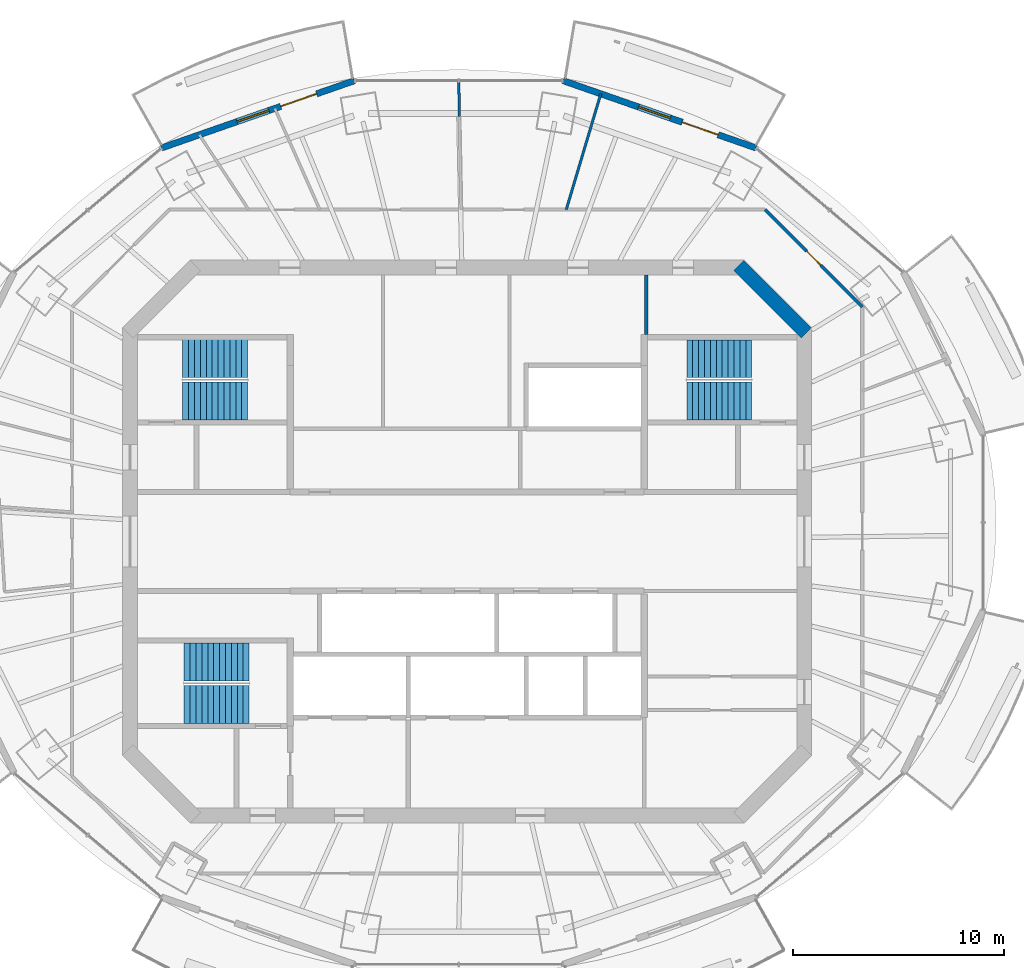
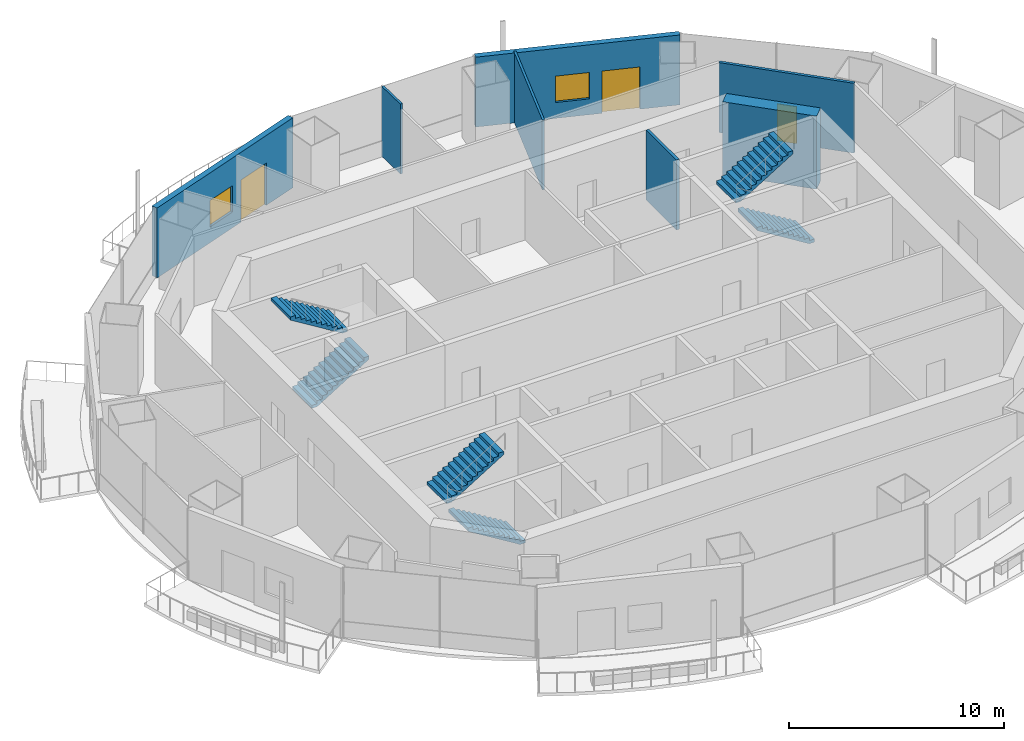
# One storey, part 11 of 15: 7 walls, 6 stair flights, 3 doors, 2 windows, 5 openings, 3 elements without a shape of their own.
"""IFC4 building model written with IfcOpenShell, lengths in metres."""

from ifc_helpers import new_model, si_unit, direction, frame, frame_2d, origin, place, context, subcontext, project, spatial, polyline, rectangle, outline, extrude, material, layer, layer_set, type_object, element, fill, aggregate, save


model = new_model("IFC4")

# Units and contexts
model_context = context("Model", 3, precision=1e-05, world=origin(), true_north=direction((0.0, 1.0)))
body_context = subcontext(model_context, "Body", "Model", "MODEL_VIEW")
ifc_project = project(units=[si_unit("LENGTHUNIT", "METRE"), si_unit("AREAUNIT", "SQUARE_METRE"), si_unit("VOLUMEUNIT", "CUBIC_METRE"), si_unit("PLANEANGLEUNIT", "RADIAN"), si_unit("MASSUNIT", "GRAM", prefix="KILO")], contexts=[model_context])

# Site, building, storey
site_placement = place(None, origin())
site = spatial("IfcSite", under=ifc_project, at=site_placement, CompositionType="ELEMENT")
building_placement = place(site_placement, origin())
building = spatial("IfcBuilding", under=site, at=building_placement, Name="Marenthal Gate Tower", CompositionType="ELEMENT")
storey_placement = place(building_placement, frame((0.0, 0.0, 384.10009765625)))
storey = spatial("IfcBuildingStorey", under=building, at=storey_placement, Name="L87", CompositionType="ELEMENT", Elevation=384.10009765625)

# Walls
ifc_material_1 = material(Name="Concrete 60 MPa", Category="concrete")
ifc_layer_1 = layer(ifc_material_1, 0.699951171875)
ifc_layer_set_1 = layer_set([ifc_layer_1], Name="Core shear wall 700")
wall_type_1 = type_object("IfcWallType", Name="Core shear wall 700", PredefinedType="SHEAR", material=ifc_layer_set_1)
wall_1_placement = place(storey_placement, frame((16.1025390625, 9.8974609375, -0.18017578125), z_axis=(0.0, 0.0, 1.0), x_axis=(-0.707106781187, 0.707106781187, 0.0)))
element("IfcWall", 1, at=wall_1_placement, inside=storey, type_object=wall_type_1, Name="Core wall 03", PredefinedType="SHEAR", context=body_context, shape_type="SweptSolid", body=[
    extrude(rectangle(XDim=4.53271484375, YDim=0.699951171875, at=frame_2d((2.266357421875, 0.0))), origin(), (0.0, 0.0, 1.0), 4.150146484375),
])
ifc_material_2 = material(Name="Gypsum board on steel studs", Category="steel")
ifc_layer_2 = layer(ifc_material_2, 0.1201171875)
ifc_layer_set_2 = layer_set([ifc_layer_2], Name="Partition 120")
wall_type_2 = type_object("IfcWallType", Name="Partition 120", PredefinedType="PARTITIONING", material=ifc_layer_set_2)
wall_2_placement = place(storey_placement, frame((-0.369140625, 20.1806640625, 0.0), z_axis=(0.0, 0.0, 1.0), x_axis=(-0.018215600688, 0.999834082181, 0.0)))
element("IfcWall", 2, at=wall_2_placement, inside=storey, type_object=wall_type_2, Name="Partition wall 79", PredefinedType="PARTITIONING", context=body_context, shape_type="SweptSolid", body=[
    extrude(rectangle(XDim=1.688720703125, YDim=0.1201171875, at=frame_2d((0.84423828125, 0.0))), origin(), (0.0, 0.0, 1.0), 3.969970703125),
])
wall_3_placement = place(storey_placement, frame((4.70068359375, 15.75, 0.0), z_axis=(0.0, 0.0, 1.0), x_axis=(0.285976596547, 0.958236602425, 0.0)))
element("IfcWall", 3, at=wall_3_placement, inside=storey, type_object=wall_type_2, Name="Partition wall 66", PredefinedType="PARTITIONING", context=body_context, shape_type="SweptSolid", body=[
    extrude(rectangle(XDim=5.734375, YDim=0.1201171875, at=frame_2d((2.8671875, 0.0))), origin(), (0.0, 0.0, 1.0), 3.969970703125),
])
ifc_material_3 = material(Name="Gypsum board on steel studs", Category="steel")
ifc_layer_3 = layer(ifc_material_3, 0.14990234375)
ifc_layer_set_3 = layer_set([ifc_layer_3], Name="Partition 150")
wall_type_3 = type_object("IfcWallType", Name="Partition 150", PredefinedType="PARTITIONING", material=ifc_layer_set_3)
wall_4_placement = place(storey_placement, frame((8.5, 9.824951171875, 0.0), z_axis=(0.0, 0.0, 1.0), x_axis=(0.0, 1.0, 0.0)))
element("IfcWall", 4, at=wall_4_placement, inside=storey, type_object=wall_type_3, Name="Partition wall 50", PredefinedType="PARTITIONING", context=body_context, shape_type="SweptSolid", body=[
    extrude(rectangle(XDim=2.824951171875, YDim=0.14990234375, at=frame_2d((1.41259765625, 0.0))), origin(), (0.0, 0.0, 1.0), 3.969970703125),
])

# Wall, opening, door
wall_5_placement = place(storey_placement, frame((14.13916015625, 15.75, 0.0), z_axis=(0.0, 0.0, 1.0), x_axis=(0.707106781187, -0.707106781187, 0.0)))
wall_5 = element("IfcWall", 5, at=wall_5_placement, inside=storey, type_object=wall_type_3, Name="Partition wall 71", PredefinedType="PARTITIONING", context=body_context, shape_type="SweptSolid", body=[
    extrude(rectangle(XDim=6.520751953125, YDim=0.14990234375, at=frame_2d((3.26025390625, 0.0))), origin(), (0.0, 0.0, 1.0), 3.969970703125),
])
opening_1_placement = place(wall_5_placement, frame((2.784912109375, 0.0, 0.0)))
opening_1 = element("IfcOpeningElement", 6, at=opening_1_placement, cuts=wall_5, Name="Opening D016.01", PredefinedType="OPENING", context=body_context, shape_type="SweptSolid", body=[
    extrude(rectangle(XDim=0.949951171875, YDim=2.10009765625, at=frame_2d((0.47509765625, 1.050048828125))), frame((0.0, 0.0849609375, 0.0), z_axis=(0.0, -1.0, 0.0), x_axis=(1.0, 0.0, 0.0)), (0.0, 0.0, 1.0), 0.169921875),
])
ifc_material_4 = material(Name="Timber door", Category="wood")
door_type_1 = type_object("IfcDoorType", Name="Door 950 x 2100", OperationType="NOTDEFINED", PredefinedType="DOOR", material=ifc_material_4)
door_1_placement = place(opening_1_placement, origin())
door_1 = element("IfcDoor", 7, at=door_1_placement, inside=storey, type_object=door_type_1, Name="Door D016.01", OperationType="SINGLE_SWING_RIGHT", OverallHeight=2.10009765625, OverallWidth=0.949951171875, PredefinedType="DOOR", context=body_context, shape_type="SweptSolid", body=[
    extrude(rectangle(XDim=0.949951171875, YDim=2.10009765625, at=frame_2d((0.47509765625, 1.050048828125))), frame((0.0, 0.02490234375, 0.0), z_axis=(0.0, -1.0, 0.0), x_axis=(1.0, 0.0, 0.0)), (0.0, 0.0, 1.0), 0.050048828125),
])
fill(opening_1, door_1)

# Wall, openings, door, window
ifc_material_5 = material(Name="Terracotta cladding on insulated concrete-block backing", Category="masonry")
ifc_layer_4 = layer(ifc_material_5, 0.300048828125)
ifc_layer_set_4 = layer_set([ifc_layer_4], Name="Terracotta facade wall 300")
wall_type_4 = type_object("IfcWallType", Name="Terracotta facade wall 300", PredefinedType="SOLIDWALL", material=ifc_layer_set_4)
wall_6_placement = place(storey_placement, frame((13.700439453125, 18.6767578125, 0.0), z_axis=(0.0, 0.0, 1.0), x_axis=(-0.944174121216, 0.329446852809, 0.0)))
wall_6 = element("IfcWall", 8, at=wall_6_placement, inside=storey, type_object=wall_type_4, Name="Terracotta facade wall L87 bay 3", PredefinedType="SOLIDWALL", context=body_context, shape_type="SweptSolid", body=[
    extrude(rectangle(XDim=9.690185546875, YDim=0.300048828125, at=frame_2d((4.84521484375, 0.0))), origin(), (0.0, 0.0, 1.0), 3.969970703125),
])
opening_2_placement = place(wall_6_placement, frame((1.89990234375, 0.0, 0.0)))
opening_2 = element("IfcOpeningElement", 9, at=opening_2_placement, cuts=wall_6, Name="Opening BD-L87-03", PredefinedType="OPENING", context=body_context, shape_type="SweptSolid", body=[
    extrude(rectangle(XDim=1.800048828125, YDim=2.39990234375, at=frame_2d((0.89990234375, 1.199951171875))), frame((0.0, 0.16015625, 0.0), z_axis=(0.0, -1.0, 0.0), x_axis=(1.0, 0.0, 0.0)), (0.0, 0.0, 1.0), 0.320068359375),
])
opening_3_placement = place(wall_6_placement, frame((4.300048828125, 0.0, 0.89990234375)))
opening_3 = element("IfcOpeningElement", 10, at=opening_3_placement, cuts=wall_6, Name="Opening WN3-L87-03", PredefinedType="OPENING", context=body_context, shape_type="SweptSolid", body=[
    extrude(rectangle(XDim=1.60009765625, YDim=1.5, at=frame_2d((0.800048828125, 0.75))), frame((0.0, 0.16015625, 0.0), z_axis=(0.0, -1.0, 0.0), x_axis=(1.0, 0.0, 0.0)), (0.0, 0.0, 1.0), 0.320068359375),
])
ifc_material_6 = material(Name="Aluminium and glass", Category="aluminium")
door_type_2 = type_object("IfcDoorType", Name="Balcony door 1800x2400", OperationType="DOUBLE_DOOR_SINGLE_SWING", PredefinedType="DOOR", material=ifc_material_6)
door_2_placement = place(opening_2_placement, origin())
door_2 = element("IfcDoor", 11, at=door_2_placement, inside=storey, type_object=door_type_2, Name="Balcony door L87 bay 3", OperationType="SINGLE_SWING_LEFT", OverallHeight=2.39990234375, OverallWidth=1.800048828125, PredefinedType="DOOR", context=body_context, shape_type="SweptSolid", body=[
    extrude(rectangle(XDim=1.800048828125, YDim=2.39990234375, at=frame_2d((0.89990234375, 1.199951171875))), frame((0.0, 0.02490234375, 0.0), z_axis=(0.0, -1.0, 0.0), x_axis=(1.0, 0.0, 0.0)), (0.0, 0.0, 1.0), 0.050048828125),
])
fill(opening_2, door_2)
ifc_material_7 = material(Name="Aluminium and glass", Category="aluminium")
window_type = type_object("IfcWindowType", Name="Window 1600x1500", PartitioningType="DOUBLE_PANEL_VERTICAL", PredefinedType="WINDOW", material=ifc_material_7)
window_1_placement = place(opening_3_placement, origin())
window_1 = element("IfcWindow", 12, at=window_1_placement, inside=storey, type_object=window_type, Name="Window L87 bay 3", OverallHeight=1.5, OverallWidth=1.60009765625, PartitioningType="SINGLE_PANEL", PredefinedType="WINDOW", context=body_context, shape_type="SweptSolid", body=[
    extrude(rectangle(XDim=1.60009765625, YDim=1.5, at=frame_2d((0.800048828125, 0.75))), frame((0.0, 0.030029296875, 0.0), z_axis=(0.0, -1.0, 0.0), x_axis=(1.0, 0.0, 0.0)), (0.0, 0.0, 1.0), 0.06005859375),
])
fill(opening_3, window_1)

wall_7_placement = place(storey_placement, frame((-5.351318359375, 21.869140625, 0.0), z_axis=(0.0, 0.0, 1.0), x_axis=(-0.944174121216, -0.329446852809, 0.0)))
wall_7 = element("IfcWall", 13, at=wall_7_placement, inside=storey, type_object=wall_type_4, Name="Terracotta facade wall L87 bay 5", PredefinedType="SOLIDWALL", context=body_context, shape_type="SweptSolid", body=[
    extrude(rectangle(XDim=9.690185546875, YDim=0.300048828125, at=frame_2d((4.84521484375, 0.0))), origin(), (0.0, 0.0, 1.0), 3.969970703125),
])
opening_4_placement = place(wall_7_placement, frame((1.89990234375, 0.0, 0.0)))
opening_4 = element("IfcOpeningElement", 14, at=opening_4_placement, cuts=wall_7, Name="Opening BD-L87-05", PredefinedType="OPENING", context=body_context, shape_type="SweptSolid", body=[
    extrude(rectangle(XDim=1.800048828125, YDim=2.39990234375, at=frame_2d((0.89990234375, 1.199951171875))), frame((0.0, 0.16015625, 0.0), z_axis=(0.0, -1.0, 0.0), x_axis=(1.0, 0.0, 0.0)), (0.0, 0.0, 1.0), 0.320068359375),
])
opening_5_placement = place(wall_7_placement, frame((4.300048828125, 0.0, 0.89990234375)))
opening_5 = element("IfcOpeningElement", 15, at=opening_5_placement, cuts=wall_7, Name="Opening WN3-L87-05", PredefinedType="OPENING", context=body_context, shape_type="SweptSolid", body=[
    extrude(rectangle(XDim=1.60009765625, YDim=1.5, at=frame_2d((0.800048828125, 0.75))), frame((0.0, 0.16015625, 0.0), z_axis=(0.0, -1.0, 0.0), x_axis=(1.0, 0.0, 0.0)), (0.0, 0.0, 1.0), 0.320068359375),
])
door_3_placement = place(opening_4_placement, origin())
door_3 = element("IfcDoor", 16, at=door_3_placement, inside=storey, type_object=door_type_2, Name="Balcony door L87 bay 5", OperationType="SINGLE_SWING_LEFT", OverallHeight=2.39990234375, OverallWidth=1.800048828125, PredefinedType="DOOR", context=body_context, shape_type="SweptSolid", body=[
    extrude(rectangle(XDim=1.800048828125, YDim=2.39990234375, at=frame_2d((0.89990234375, 1.199951171875))), frame((0.0, 0.02490234375, 0.0), z_axis=(0.0, -1.0, 0.0), x_axis=(1.0, 0.0, 0.0)), (0.0, 0.0, 1.0), 0.050048828125),
])
fill(opening_4, door_3)
window_2_placement = place(opening_5_placement, origin())
window_2 = element("IfcWindow", 17, at=window_2_placement, inside=storey, type_object=window_type, Name="Window L87 bay 5", OverallHeight=1.5, OverallWidth=1.60009765625, PartitioningType="SINGLE_PANEL", PredefinedType="WINDOW", context=body_context, shape_type="SweptSolid", body=[
    extrude(rectangle(XDim=1.60009765625, YDim=1.5, at=frame_2d((0.800048828125, 0.75))), frame((0.0, 0.030029296875, 0.0), z_axis=(0.0, -1.0, 0.0), x_axis=(1.0, 0.0, 0.0)), (0.0, 0.0, 1.0), 0.06005859375),
])
fill(opening_5, window_2)

# Stair, stair flights
ifc_material_8 = material(Name="Concrete 40 MPa", Category="concrete")
stair_type = type_object("IfcStairType", Name="Exit stair 1800", PredefinedType="HALF_TURN_STAIR", material=ifc_material_8)
stair_1_placement = place(storey_placement, origin())
stair_1 = element("IfcStair", 18, at=stair_1_placement, inside=storey, type_object=stair_type, Name="Stair ST1", PredefinedType="HALF_TURN_STAIR")
ifc_material_9 = material(Name="Concrete 40 MPa", Category="concrete")
stair_flight_type = type_object("IfcStairFlightType", Name="Stair flight 1800", PredefinedType="STRAIGHT", material=ifc_material_9)
stair_flight_1_placement = place(storey_placement, frame((-13.5, 6.675048828125, 0.0), z_axis=(0.0, 0.0, 1.0), x_axis=(1.0, 0.0, 0.0)))
stair_flight_1 = element("IfcStairFlight", 19, at=stair_flight_1_placement, type_object=stair_flight_type, Name="ST1 flight 1", NumberOfRisers=12, NumberOfTreads=11, PredefinedType="STRAIGHT", RiserHeight=0.172916667, TreadLength=0.28, context=body_context, shape_type="SweptSolid", body=[
    extrude(outline(polyline([(0.0, 0.0), (0.0, 0.1728515625), (0.280029296875, 0.1728515625), (0.280029296875, 0.345947265625), (0.56005859375, 0.345947265625), (0.56005859375, 0.518798828125), (0.840087890625, 0.518798828125), (0.840087890625, 0.691650390625), (1.1201171875, 0.691650390625), (1.1201171875, 0.864501953125), (1.39990234375, 0.864501953125), (1.39990234375, 1.03759765625), (1.679931640625, 1.03759765625), (1.679931640625, 1.21044921875), (1.9599609375, 1.21044921875), (1.9599609375, 1.38330078125), (2.239990234375, 1.38330078125), (2.239990234375, 1.55615234375), (2.52001953125, 1.55615234375), (2.52001953125, 1.729248046875), (2.800048828125, 1.729248046875), (2.800048828125, 1.902099609375), (3.080078125, 1.902099609375), (3.080078125, 2.074951171875), (3.080078125, 1.725830078125), (0.285400390625, 0.0), (0.0, 0.0)])), frame((0.0, 0.89990234375, 0.0), z_axis=(0.0, -1.0, 0.0), x_axis=(1.0, 0.0, 0.0)), (0.0, 0.0, 1.0), 1.800048828125),
])
stair_flight_2_placement = place(storey_placement, frame((-10.419921875, 8.675048828125, 2.074951171875), z_axis=(0.0, 0.0, 1.0), x_axis=(-1.0, 0.0, 0.0)))
stair_flight_2 = element("IfcStairFlight", 20, at=stair_flight_2_placement, type_object=stair_flight_type, Name="ST1 flight 2", NumberOfRisers=12, NumberOfTreads=11, PredefinedType="STRAIGHT", RiserHeight=0.172916667, TreadLength=0.28, context=body_context, shape_type="SweptSolid", body=[
    extrude(outline(polyline([(0.0, 0.0), (0.0, 0.1728515625), (0.280029296875, 0.1728515625), (0.280029296875, 0.345947265625), (0.56005859375, 0.345947265625), (0.56005859375, 0.518798828125), (0.840087890625, 0.518798828125), (0.840087890625, 0.691650390625), (1.1201171875, 0.691650390625), (1.1201171875, 0.864501953125), (1.39990234375, 0.864501953125), (1.39990234375, 1.03759765625), (1.679931640625, 1.03759765625), (1.679931640625, 1.21044921875), (1.9599609375, 1.21044921875), (1.9599609375, 1.38330078125), (2.239990234375, 1.38330078125), (2.239990234375, 1.55615234375), (2.52001953125, 1.55615234375), (2.52001953125, 1.729248046875), (2.800048828125, 1.729248046875), (2.800048828125, 1.902099609375), (3.080078125, 1.902099609375), (3.080078125, 2.074951171875), (3.080078125, 1.725830078125), (0.285400390625, 0.0), (0.0, 0.0)])), frame((0.0, 0.89990234375, 0.0), z_axis=(0.0, -1.0, 0.0), x_axis=(1.0, 0.0, 0.0)), (0.0, 0.0, 1.0), 1.800048828125),
])
aggregate(stair_1, [stair_flight_1, stair_flight_2])

stair_2_placement = place(storey_placement, origin())
stair_2 = element("IfcStair", 21, at=stair_2_placement, inside=storey, type_object=stair_type, Name="Stair ST2", PredefinedType="HALF_TURN_STAIR")
stair_flight_3_placement = place(storey_placement, frame((-10.35009765625, -7.72509765625, 0.0), z_axis=(0.0, 0.0, 1.0), x_axis=(-1.0, 0.0, 0.0)))
stair_flight_3 = element("IfcStairFlight", 22, at=stair_flight_3_placement, type_object=stair_flight_type, Name="ST2 flight 1", NumberOfRisers=12, NumberOfTreads=11, PredefinedType="STRAIGHT", RiserHeight=0.172916667, TreadLength=0.28, context=body_context, shape_type="SweptSolid", body=[
    extrude(outline(polyline([(0.0, 0.0), (0.0, 0.1728515625), (0.280029296875, 0.1728515625), (0.280029296875, 0.345947265625), (0.56005859375, 0.345947265625), (0.56005859375, 0.518798828125), (0.840087890625, 0.518798828125), (0.840087890625, 0.691650390625), (1.1201171875, 0.691650390625), (1.1201171875, 0.864501953125), (1.39990234375, 0.864501953125), (1.39990234375, 1.03759765625), (1.679931640625, 1.03759765625), (1.679931640625, 1.21044921875), (1.9599609375, 1.21044921875), (1.9599609375, 1.38330078125), (2.239990234375, 1.38330078125), (2.239990234375, 1.55615234375), (2.52001953125, 1.55615234375), (2.52001953125, 1.729248046875), (2.800048828125, 1.729248046875), (2.800048828125, 1.902099609375), (3.080078125, 1.902099609375), (3.080078125, 2.074951171875), (3.080078125, 1.725830078125), (0.285400390625, 0.0), (0.0, 0.0)])), frame((0.0, 0.89990234375, 0.0), z_axis=(0.0, -1.0, 0.0), x_axis=(1.0, 0.0, 0.0)), (0.0, 0.0, 1.0), 1.800048828125),
])
stair_flight_4_placement = place(storey_placement, frame((-13.429931640625, -5.72509765625, 2.074951171875), z_axis=(0.0, 0.0, 1.0), x_axis=(1.0, 0.0, 0.0)))
stair_flight_4 = element("IfcStairFlight", 23, at=stair_flight_4_placement, type_object=stair_flight_type, Name="ST2 flight 2", NumberOfRisers=12, NumberOfTreads=11, PredefinedType="STRAIGHT", RiserHeight=0.172916667, TreadLength=0.28, context=body_context, shape_type="SweptSolid", body=[
    extrude(outline(polyline([(0.0, 0.0), (0.0, 0.1728515625), (0.280029296875, 0.1728515625), (0.280029296875, 0.345947265625), (0.56005859375, 0.345947265625), (0.56005859375, 0.518798828125), (0.840087890625, 0.518798828125), (0.840087890625, 0.691650390625), (1.1201171875, 0.691650390625), (1.1201171875, 0.864501953125), (1.39990234375, 0.864501953125), (1.39990234375, 1.03759765625), (1.679931640625, 1.03759765625), (1.679931640625, 1.21044921875), (1.9599609375, 1.21044921875), (1.9599609375, 1.38330078125), (2.239990234375, 1.38330078125), (2.239990234375, 1.55615234375), (2.52001953125, 1.55615234375), (2.52001953125, 1.729248046875), (2.800048828125, 1.729248046875), (2.800048828125, 1.902099609375), (3.080078125, 1.902099609375), (3.080078125, 2.074951171875), (3.080078125, 1.725830078125), (0.285400390625, 0.0), (0.0, 0.0)])), frame((0.0, 0.89990234375, 0.0), z_axis=(0.0, -1.0, 0.0), x_axis=(1.0, 0.0, 0.0)), (0.0, 0.0, 1.0), 1.800048828125),
])
aggregate(stair_2, [stair_flight_3, stair_flight_4])

stair_3_placement = place(storey_placement, origin())
stair_3 = element("IfcStair", 24, at=stair_3_placement, inside=storey, type_object=stair_type, Name="Stair ST3", PredefinedType="HALF_TURN_STAIR")
stair_flight_5_placement = place(storey_placement, frame((13.5, 6.675048828125, 0.0), z_axis=(0.0, 0.0, 1.0), x_axis=(-1.0, 0.0, 0.0)))
stair_flight_5 = element("IfcStairFlight", 25, at=stair_flight_5_placement, type_object=stair_flight_type, Name="ST3 flight 1", NumberOfRisers=12, NumberOfTreads=11, PredefinedType="STRAIGHT", RiserHeight=0.172916667, TreadLength=0.28, context=body_context, shape_type="SweptSolid", body=[
    extrude(outline(polyline([(0.0, 0.0), (0.0, 0.1728515625), (0.280029296875, 0.1728515625), (0.280029296875, 0.345947265625), (0.56005859375, 0.345947265625), (0.56005859375, 0.518798828125), (0.840087890625, 0.518798828125), (0.840087890625, 0.691650390625), (1.1201171875, 0.691650390625), (1.1201171875, 0.864501953125), (1.39990234375, 0.864501953125), (1.39990234375, 1.03759765625), (1.679931640625, 1.03759765625), (1.679931640625, 1.21044921875), (1.9599609375, 1.21044921875), (1.9599609375, 1.38330078125), (2.239990234375, 1.38330078125), (2.239990234375, 1.55615234375), (2.52001953125, 1.55615234375), (2.52001953125, 1.729248046875), (2.800048828125, 1.729248046875), (2.800048828125, 1.902099609375), (3.080078125, 1.902099609375), (3.080078125, 2.074951171875), (3.080078125, 1.725830078125), (0.285400390625, 0.0), (0.0, 0.0)])), frame((0.0, 0.89990234375, 0.0), z_axis=(0.0, -1.0, 0.0), x_axis=(1.0, 0.0, 0.0)), (0.0, 0.0, 1.0), 1.800048828125),
])
stair_flight_6_placement = place(storey_placement, frame((10.419921875, 8.675048828125, 2.074951171875), z_axis=(0.0, 0.0, 1.0), x_axis=(1.0, 0.0, 0.0)))
stair_flight_6 = element("IfcStairFlight", 26, at=stair_flight_6_placement, type_object=stair_flight_type, Name="ST3 flight 2", NumberOfRisers=12, NumberOfTreads=11, PredefinedType="STRAIGHT", RiserHeight=0.172916667, TreadLength=0.28, context=body_context, shape_type="SweptSolid", body=[
    extrude(outline(polyline([(0.0, 0.0), (0.0, 0.1728515625), (0.280029296875, 0.1728515625), (0.280029296875, 0.345947265625), (0.56005859375, 0.345947265625), (0.56005859375, 0.518798828125), (0.840087890625, 0.518798828125), (0.840087890625, 0.691650390625), (1.1201171875, 0.691650390625), (1.1201171875, 0.864501953125), (1.39990234375, 0.864501953125), (1.39990234375, 1.03759765625), (1.679931640625, 1.03759765625), (1.679931640625, 1.21044921875), (1.9599609375, 1.21044921875), (1.9599609375, 1.38330078125), (2.239990234375, 1.38330078125), (2.239990234375, 1.55615234375), (2.52001953125, 1.55615234375), (2.52001953125, 1.729248046875), (2.800048828125, 1.729248046875), (2.800048828125, 1.902099609375), (3.080078125, 1.902099609375), (3.080078125, 2.074951171875), (3.080078125, 1.725830078125), (0.285400390625, 0.0), (0.0, 0.0)])), frame((0.0, 0.89990234375, 0.0), z_axis=(0.0, -1.0, 0.0), x_axis=(1.0, 0.0, 0.0)), (0.0, 0.0, 1.0), 1.800048828125),
])
aggregate(stair_3, [stair_flight_5, stair_flight_6])

save(model, "model.ifc")
